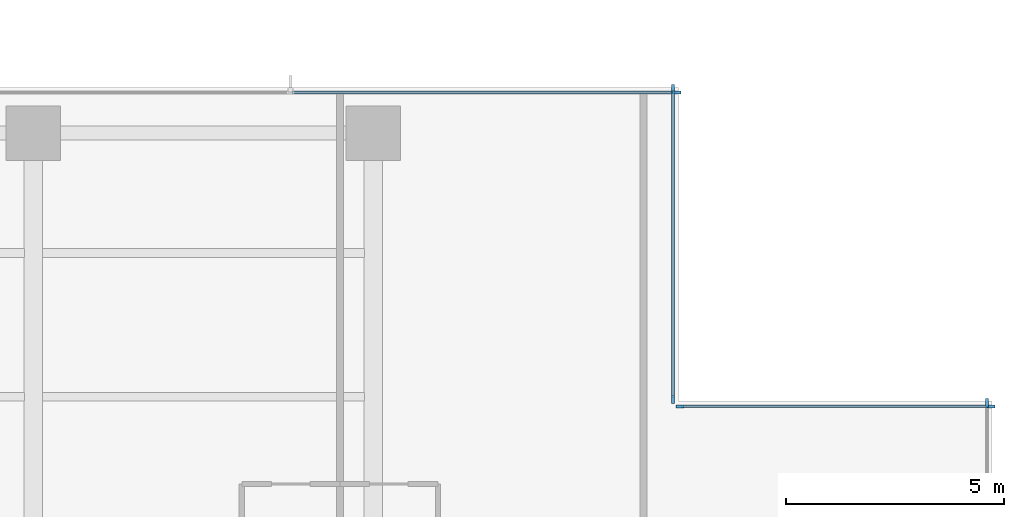
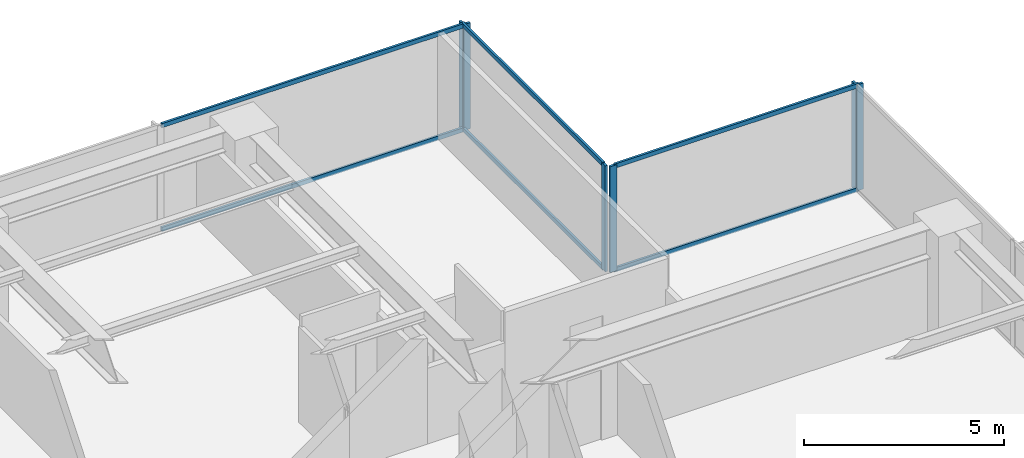
# One storey, part 6 of 18: 12 members, 4 elements without a shape of their own.
"""IFC4 building model written with IfcOpenShell, lengths in metres."""

import ifcopenshell
import ifcopenshell.guid

model = None  # the IFC model being written
_history = None  # IfcOwnerHistory: only IFC2X3 demands one
_inside = {}  # id of a spatial element -> (the spatial element, [elements in it])
_under = {}  # id of a project, library or spatial element -> (it, [spatial elements below it])
_declared = {}  # id of a project -> (the project, [libraries it declares])
_typed = {}  # id of a type object -> (the type object, [elements of that type])
_made_of = {}  # id of a material, layer set ... -> (it, [elements and type objects made of it])


def new_model(schema):
    """Start an empty IFC model of exactly this schema.

    Asked for "IFC4X3", IfcOpenShell would pick the latest addendum, in which some entities
    have other attributes; the version numbers below select the first issue.
    IFC2X3 requires an IfcOwnerHistory on every rooted entity: one is made here for all.
    """
    global model, _history
    if schema == "IFC4X3":
        model = ifcopenshell.file(schema_version=(4, 3, 0, 0))
    else:
        model = ifcopenshell.file(schema=schema)
    _inside.clear()
    _under.clear()
    _declared.clear()
    _typed.clear()
    _made_of.clear()
    _history = None
    if model.schema == "IFC2X3":
        org = make("IfcOrganization", Name="unknown")
        user = make(
            "IfcPersonAndOrganization",
            ThePerson=make("IfcPerson", FamilyName="unknown"),
            TheOrganization=org,
        )
        app = make(
            "IfcApplication",
            ApplicationDeveloper=org,
            Version="unknown",
            ApplicationFullName="unknown",
            ApplicationIdentifier="unknown",
        )
        _history = make(
            "IfcOwnerHistory",
            OwningUser=user,
            OwningApplication=app,
            ChangeAction="ADDED",
            CreationDate=0,
        )
    return model


def make(cls, **values):
    """One entity of the class cls with the attributes given. An attribute that is None is left unset."""
    return model.create_entity(
        cls, **{name: value for name, value in values.items() if value is not None}
    )


def rooted(cls, **values):
    """An entity with a GlobalId (a new one), such as an element, a storey or a relation."""
    return make(cls, GlobalId=ifcopenshell.guid.new(), OwnerHistory=_history, **values)


def si_unit(unit_type, name, prefix=None):
    """IfcSIUnit, for example si_unit("LENGTHUNIT", "METRE", prefix="MILLI")."""
    return make("IfcSIUnit", UnitType=unit_type, Prefix=prefix, Name=name)


def assignment(units):
    """IfcUnitAssignment: the units of a project."""
    return None if units is None else make("IfcUnitAssignment", Units=units)


def point(xyz):
    """IfcCartesianPoint."""
    return None if xyz is None else make("IfcCartesianPoint", Coordinates=xyz)


def direction(xyz):
    """IfcDirection."""
    return None if xyz is None else make("IfcDirection", DirectionRatios=xyz)


def frame(location, z_axis=None, x_axis=None):
    """IfcAxis2Placement3D, a coordinate frame: its origin and axes. An axis left out is left unset."""
    return make(
        "IfcAxis2Placement3D",
        Location=point(location),
        Axis=direction(z_axis),
        RefDirection=direction(x_axis),
    )


def frame_2d(location, x_axis=None):
    """IfcAxis2Placement2D, a coordinate frame in the plane: its origin and x axis."""
    return make(
        "IfcAxis2Placement2D", Location=point(location), RefDirection=direction(x_axis)
    )


def origin():
    """The frame at (0, 0, 0) with its axes left unset."""
    return frame((0.0, 0.0, 0.0))


def origin_2d():
    """The frame at (0, 0) in the plane with its x axis left unset."""
    return frame_2d((0.0, 0.0))


def place(relative_to, where):
    """IfcLocalPlacement: puts the frame where relative to a parent placement (None: the world)."""
    return make(
        "IfcLocalPlacement", PlacementRelTo=relative_to, RelativePlacement=where
    )


def context(
    kind, dimensions, precision=None, world=None, true_north=None, identifier=None
):
    """IfcGeometricRepresentationContext, for example the 3D "Model" context."""
    return make(
        "IfcGeometricRepresentationContext",
        ContextIdentifier=identifier,
        ContextType=kind,
        CoordinateSpaceDimension=dimensions,
        Precision=precision,
        WorldCoordinateSystem=world,
        TrueNorth=true_north,
    )


def subcontext(parent, identifier, kind, view, scale=None):
    """IfcGeometricRepresentationSubContext, for example "Body" below "Model"."""
    return make(
        "IfcGeometricRepresentationSubContext",
        ContextIdentifier=identifier,
        ContextType=kind,
        ParentContext=parent,
        TargetScale=scale,
        TargetView=view,
    )


def project(units=None, contexts=None):
    """IfcProject with its units and contexts."""
    return rooted(
        "IfcProject",
        Name="project",
        RepresentationContexts=contexts,
        UnitsInContext=assignment(units),
    )


def spatial(cls, under=None, at=None, **own):
    """A site, building, storey or space (cls), placed at a placement, below another one or the project."""
    s = rooted(cls, ObjectPlacement=at, **own)
    if under is not None:
        _under.setdefault(under.id(), (under, []))[1].append(s)
    return s


def profile(cls, at=None, kind="AREA", **sizes):
    """A parametric profile (cls). Its sizes go by their IFC names, for example OverallWidth=200.0."""
    return make(cls, ProfileType=kind, Position=at, **sizes)


def rectangle(**sizes):
    """IfcRectangleProfileDef."""
    return profile("IfcRectangleProfileDef", **sizes)


def extrude(swept, where, along, depth):
    """IfcExtrudedAreaSolid: the profile swept, set in the frame where, extruded along a direction by depth."""
    return make(
        "IfcExtrudedAreaSolid",
        SweptArea=swept,
        Position=where,
        ExtrudedDirection=direction(along),
        Depth=depth,
    )


def shape(context_of_items, identifier, shape_type, items):
    """IfcShapeRepresentation: the items that make up one representation, for example the "Body"."""
    return make(
        "IfcShapeRepresentation",
        ContextOfItems=context_of_items,
        RepresentationIdentifier=identifier,
        RepresentationType=shape_type,
        Items=items,
    )


def material(Name=None, Category=None):
    """IfcMaterial."""
    return make("IfcMaterial", Name=Name, Category=Category)


def layer(
    of_material, thickness, ventilated=None, Name=None, Category=None, Priority=None
):
    """IfcMaterialLayer: one layer of a wall or slab, of a material (None: an air gap)."""
    return make(
        "IfcMaterialLayer",
        Material=of_material,
        LayerThickness=thickness,
        IsVentilated=ventilated,
        Name=Name,
        Category=Category,
        Priority=Priority,
    )


def layer_set(layers, Name=None):
    """IfcMaterialLayerSet."""
    return make("IfcMaterialLayerSet", MaterialLayers=layers, LayerSetName=Name)


def material_profile(
    of_material, cross_section, Name=None, Category=None, Priority=None
):
    """IfcMaterialProfile: a cross section and its material."""
    return make(
        "IfcMaterialProfile",
        Name=Name,
        Material=of_material,
        Profile=cross_section,
        Priority=Priority,
        Category=Category,
    )


def profile_set(profiles, Name=None, composite=None):
    """IfcMaterialProfileSet."""
    return make(
        "IfcMaterialProfileSet",
        Name=Name,
        MaterialProfiles=profiles,
        CompositeProfile=composite,
    )


def made_of(thing, what):
    """Note that an element or type object is made of a material, layer set ...; save() writes the relation."""
    if what is not None:
        _made_of.setdefault(what.id(), (what, []))[1].append(thing)
    return thing


def type_object(cls, material=None, **own):
    """A type object (cls), such as IfcWallType, which elements share."""
    return made_of(rooted(cls, **own), material)


def element(
    cls,
    number,
    at=None,
    inside=None,
    cuts=None,
    type_object=None,
    material=None,
    context=None,
    identifier="Body",
    shape_type=None,
    held_by="IfcProductDefinitionShape",
    body=None,
    shapes=None,
    **own,
):
    """One element of the class cls, such as IfcWall. Its Tag is "e" and its number.

    at: its placement. inside: the storey or other place that contains it. cuts: it is an
    opening in that element (IfcRelVoidsElement). A single representation is given by context,
    identifier, shape_type and body (its items); several are given by shapes. held_by: the class
    of the entity that holds the representations. save() writes the other relations.
    """
    e = rooted(cls, Tag="e%d" % number, ObjectPlacement=at, **own)
    if body is not None:
        shapes = [shape(context, identifier, shape_type, body)]
    if shapes is not None:
        e.Representation = make(held_by, Representations=shapes)
    if inside is not None:
        _inside.setdefault(inside.id(), (inside, []))[1].append(e)
    if cuts is not None:
        rooted(
            "IfcRelVoidsElement", RelatingBuildingElement=cuts, RelatedOpeningElement=e
        )
    if type_object is not None:
        _typed.setdefault(type_object.id(), (type_object, []))[1].append(e)
    return made_of(e, material)


def aggregate(whole, parts):
    """IfcRelAggregates: a whole, such as a stair, and the parts it consists of."""
    return rooted("IfcRelAggregates", RelatingObject=whole, RelatedObjects=parts)


def save(model, path):
    """Write the relations noted so far, then the file.

    IfcRelAggregates (storeys below a building ...), IfcRelContainedInSpatialStructure (elements
    in a storey), IfcRelDefinesByType, IfcRelAssociatesMaterial and IfcRelDeclares: one each for
    every whole, place, type object, material and project.
    """
    for whole, parts in _under.values():
        aggregate(whole, parts)
    for where, things in _inside.values():
        rooted(
            "IfcRelContainedInSpatialStructure",
            RelatedElements=things,
            RelatingStructure=where,
        )
    for kind, things in _typed.values():
        rooted("IfcRelDefinesByType", RelatedObjects=things, RelatingType=kind)
    for what, things in _made_of.values():
        rooted("IfcRelAssociatesMaterial", RelatedObjects=things, RelatingMaterial=what)
    for by, libraries in _declared.values():
        rooted("IfcRelDeclares", RelatingContext=by, RelatedDefinitions=libraries)
    model.write(path)


model = new_model("IFC4")

# Units and contexts
model_context = context("Model", 3, precision=1e-05, world=origin(), true_north=direction((0.0, 1.0)))
body_context = subcontext(model_context, "Body", "Model", "MODEL_VIEW")
ifc_project = project(units=[si_unit("LENGTHUNIT", "METRE"), si_unit("AREAUNIT", "SQUARE_METRE"), si_unit("VOLUMEUNIT", "CUBIC_METRE"), si_unit("PLANEANGLEUNIT", "RADIAN"), si_unit("MASSUNIT", "GRAM", prefix="KILO")], contexts=[model_context])

# Site, building, storey
site_placement = place(None, origin())
site = spatial("IfcSite", under=ifc_project, at=site_placement, CompositionType="ELEMENT")
building_placement = place(site_placement, origin())
building = spatial("IfcBuilding", under=site, at=building_placement, Name="Qalmaran Belvedere Hotel", CompositionType="ELEMENT")
storey_placement = place(building_placement, frame((0.0, 0.0, 95.199951171875)))
storey = spatial("IfcBuildingStorey", under=building, at=storey_placement, Name="L23", CompositionType="ELEMENT", Elevation=95.199951171875)

# Curtain wall, member
ifc_material = material(Name="Anodised Bronze Aluminium", Category="aluminium")
ifc_layer = layer(ifc_material, 0.199951171875, Name="Anodised Bronze Aluminium")
ifc_layer_set = layer_set([ifc_layer], Name="Anodised Bronze Aluminium")
curtain_wall_type = type_object("IfcCurtainWallType", Name="CW3-TOWER-LOWMID", PredefinedType="NOTDEFINED", material=ifc_layer_set)
curtain_wall_1_placement = place(storey_placement, origin())
curtain_wall_1 = element("IfcCurtainWall", 1, at=curtain_wall_1_placement, inside=storey, type_object=curtain_wall_type, Name="L23 Curtain Wall CW3", PredefinedType="NOTDEFINED")
ifc_material_profile_1 = material_profile(ifc_material, rectangle(XDim=0.070068359375, YDim=0.18994140625, at=origin_2d()), Name="CWM70X190")
ifc_profile_set_1 = profile_set([ifc_material_profile_1], Name="Anodised Bronze Aluminium")
member_type_1 = type_object("IfcMemberType", Name="CWM-70X190", PredefinedType="MULLION", material=ifc_profile_set_1)
member_1_placement = place(storey_placement, frame((58.8798828125, 39.264892578125, 0.0), z_axis=(0.0, 0.0, 1.0), x_axis=(-1.0, 0.0, 0.0)))
member_1 = element("IfcMember", 2, at=member_1_placement, type_object=member_type_1, Name="CW3 mullion 5", PredefinedType="MULLION", context=body_context, shape_type="SweptSolid", body=[
    extrude(rectangle(XDim=0.070068359375, YDim=0.18994140625, at=origin_2d()), origin(), (0.0, 0.0, 1.0), 3.239990234375),
])
aggregate(curtain_wall_1, [member_1])

# Curtain wall, members
curtain_wall_2_placement = place(storey_placement, origin())
curtain_wall_2 = element("IfcCurtainWall", 3, at=curtain_wall_2_placement, inside=storey, type_object=curtain_wall_type, Name="L23 Curtain Wall CW3", PredefinedType="NOTDEFINED")
member_2_placement = place(storey_placement, frame((58.965087890625, 39.179931640625, 0.0), z_axis=(0.0, 0.0, 1.0), x_axis=(0.0, -1.0, 0.0)))
member_2 = element("IfcMember", 4, at=member_2_placement, type_object=member_type_1, Name="CW3 mullion 1", PredefinedType="MULLION", context=body_context, shape_type="SweptSolid", body=[
    extrude(rectangle(XDim=0.070068359375, YDim=0.18994140625, at=origin_2d()), origin(), (0.0, 0.0, 1.0), 3.239990234375),
])
member_3_placement = place(storey_placement, frame((51.8349609375, 39.179931640625, 0.0), z_axis=(0.0, 0.0, 1.0), x_axis=(0.0, -1.0, 0.0)))
member_3 = element("IfcMember", 5, at=member_3_placement, type_object=member_type_1, Name="CW3 mullion 2", PredefinedType="MULLION", context=body_context, shape_type="SweptSolid", body=[
    extrude(rectangle(XDim=0.070068359375, YDim=0.18994140625, at=origin_2d()), origin(), (0.0, 0.0, 1.0), 3.239990234375),
])

curtain_wall_3_placement = place(storey_placement, origin())
curtain_wall_3 = element("IfcCurtainWall", 6, at=curtain_wall_3_placement, inside=storey, type_object=curtain_wall_type, Name="L23 Curtain Wall CW3", PredefinedType="NOTDEFINED")
member_4_placement = place(storey_placement, frame((51.679931640625, 39.3349609375, 0.0), z_axis=(0.0, 0.0, 1.0), x_axis=(-1.0, 0.0, 0.0)))
member_4 = element("IfcMember", 7, at=member_4_placement, type_object=member_type_1, Name="CW3 mullion 1", PredefinedType="MULLION", context=body_context, shape_type="SweptSolid", body=[
    extrude(rectangle(XDim=0.070068359375, YDim=0.18994140625, at=origin_2d()), origin(), (0.0, 0.0, 1.0), 3.239990234375),
])
member_5_placement = place(storey_placement, frame((51.679931640625, 46.465087890625, 0.0), z_axis=(0.0, 0.0, 1.0), x_axis=(-1.0, 0.0, 0.0)))
member_5 = element("IfcMember", 8, at=member_5_placement, type_object=member_type_1, Name="CW3 mullion 2", PredefinedType="MULLION", context=body_context, shape_type="SweptSolid", body=[
    extrude(rectangle(XDim=0.070068359375, YDim=0.18994140625, at=origin_2d()), origin(), (0.0, 0.0, 1.0), 3.239990234375),
])

# Curtain wall, member
curtain_wall_4_placement = place(storey_placement, origin())
curtain_wall_4 = element("IfcCurtainWall", 9, at=curtain_wall_4_placement, inside=storey, type_object=curtain_wall_type, Name="L23 Curtain Wall CW3", PredefinedType="NOTDEFINED")
member_6_placement = place(storey_placement, frame((51.764892578125, 46.3798828125, 0.0), z_axis=(0.0, 0.0, 1.0), x_axis=(0.0, -1.0, 0.0)))
member_6 = element("IfcMember", 10, at=member_6_placement, type_object=member_type_1, Name="CW3 mullion 1", PredefinedType="MULLION", context=body_context, shape_type="SweptSolid", body=[
    extrude(rectangle(XDim=0.070068359375, YDim=0.18994140625, at=origin_2d()), origin(), (0.0, 0.0, 1.0), 3.239990234375),
])

# Member
ifc_material_profile_2 = material_profile(ifc_material, rectangle(XDim=0.06494140625, YDim=0.1298828125, at=origin_2d()), Name="CWT65X130")
ifc_profile_set_2 = profile_set([ifc_material_profile_2], Name="Anodised Bronze Aluminium")
member_type_2 = type_object("IfcMemberType", Name="CWT-65X130", PredefinedType="USERDEFINED", material=ifc_profile_set_2)
member_7_placement = place(storey_placement, frame((58.929931640625, 39.179931640625, 0.032470703125), z_axis=(-1.0, 0.0, 0.0), x_axis=(0.0, -1.0, 0.0)))
member_7 = element("IfcMember", 11, at=member_7_placement, type_object=member_type_2, Name="CW3 transom 1.1", ObjectType="TRANSOM", PredefinedType="USERDEFINED", context=body_context, shape_type="SweptSolid", body=[
    extrude(rectangle(XDim=0.06494140625, YDim=0.1298828125, at=origin_2d()), origin(), (0.0, 0.0, 1.0), 7.059814453125),
])

member_8_placement = place(storey_placement, frame((58.929931640625, 39.179931640625, 3.20751953125), z_axis=(-1.0, 0.0, 0.0), x_axis=(0.0, -1.0, 0.0)))
member_8 = element("IfcMember", 12, at=member_8_placement, type_object=member_type_2, Name="CW3 transom 1.2", ObjectType="TRANSOM", PredefinedType="USERDEFINED", context=body_context, shape_type="SweptSolid", body=[
    extrude(rectangle(XDim=0.06494140625, YDim=0.1298828125, at=origin_2d()), origin(), (0.0, 0.0, 1.0), 7.059814453125),
])

aggregate(curtain_wall_2, [member_2, member_3, member_7, member_8])

member_9_placement = place(storey_placement, frame((51.679931640625, 39.3701171875, 0.032470703125), z_axis=(0.0, 1.0, 0.0), x_axis=(-1.0, 0.0, 0.0)))
member_9 = element("IfcMember", 13, at=member_9_placement, type_object=member_type_2, Name="CW3 transom 1.1", ObjectType="TRANSOM", PredefinedType="USERDEFINED", context=body_context, shape_type="SweptSolid", body=[
    extrude(rectangle(XDim=0.06494140625, YDim=0.1298828125, at=origin_2d()), origin(), (0.0, 0.0, 1.0), 7.059814453125),
])

member_10_placement = place(storey_placement, frame((51.679931640625, 39.3701171875, 3.20751953125), z_axis=(0.0, 1.0, 0.0), x_axis=(-1.0, 0.0, 0.0)))
member_10 = element("IfcMember", 14, at=member_10_placement, type_object=member_type_2, Name="CW3 transom 1.2", ObjectType="TRANSOM", PredefinedType="USERDEFINED", context=body_context, shape_type="SweptSolid", body=[
    extrude(rectangle(XDim=0.06494140625, YDim=0.1298828125, at=origin_2d()), origin(), (0.0, 0.0, 1.0), 7.059814453125),
])

aggregate(curtain_wall_3, [member_4, member_5, member_9, member_10])

member_11_placement = place(storey_placement, frame((51.72998046875, 46.3798828125, 0.032470703125), z_axis=(-1.0, 0.0, 0.0), x_axis=(0.0, -1.0, 0.0)))
member_11 = element("IfcMember", 15, at=member_11_placement, type_object=member_type_2, Name="CW3 transom 1.1", ObjectType="TRANSOM", PredefinedType="USERDEFINED", context=body_context, shape_type="SweptSolid", body=[
    extrude(rectangle(XDim=0.06494140625, YDim=0.1298828125, at=origin_2d()), origin(), (0.0, 0.0, 1.0), 8.794921875),
])

member_12_placement = place(storey_placement, frame((51.72998046875, 46.3798828125, 3.20751953125), z_axis=(-1.0, 0.0, 0.0), x_axis=(0.0, -1.0, 0.0)))
member_12 = element("IfcMember", 16, at=member_12_placement, type_object=member_type_2, Name="CW3 transom 1.2", ObjectType="TRANSOM", PredefinedType="USERDEFINED", context=body_context, shape_type="SweptSolid", body=[
    extrude(rectangle(XDim=0.06494140625, YDim=0.1298828125, at=origin_2d()), origin(), (0.0, 0.0, 1.0), 8.794921875),
])

aggregate(curtain_wall_4, [member_6, member_11, member_12])

save(model, "model.ifc")
